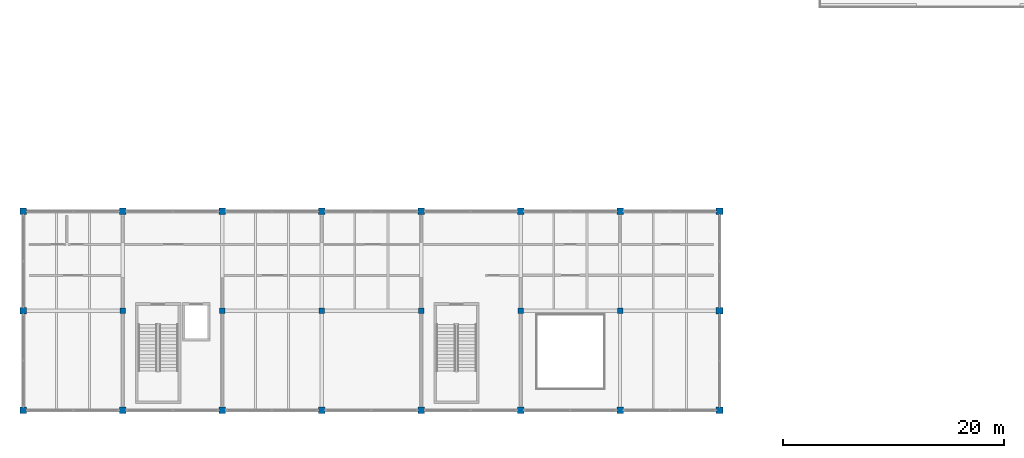
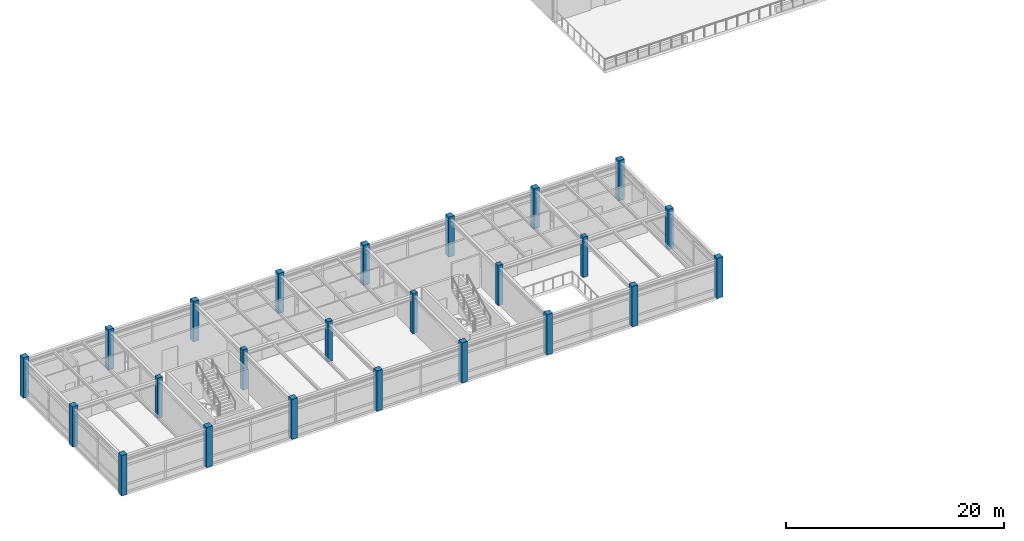
# One storey, part 1 of 33: 24 columns.
"""IFC4 building model written with IfcOpenShell, lengths in metres."""

from ifc_helpers import new_model, si_unit, direction, frame, origin, origin_2d, place, context, subcontext, project, spatial, rectangle, extrude, material, material_profile, profile_set, type_object, element, save


model = new_model("IFC4")

# Units and contexts
model_context = context("Model", 3, precision=1e-05, world=origin(), true_north=direction((0.0, 1.0)))
body_context = subcontext(model_context, "Body", "Model", "MODEL_VIEW")
ifc_project = project(units=[si_unit("LENGTHUNIT", "METRE"), si_unit("AREAUNIT", "SQUARE_METRE"), si_unit("VOLUMEUNIT", "CUBIC_METRE"), si_unit("PLANEANGLEUNIT", "RADIAN"), si_unit("MASSUNIT", "GRAM", prefix="KILO")], contexts=[model_context])

# Site, building, storey
site_placement = place(None, origin())
site = spatial("IfcSite", under=ifc_project, at=site_placement, CompositionType="ELEMENT")
building_placement = place(site_placement, origin())
building = spatial("IfcBuilding", under=site, at=building_placement, Name="Bozkorgan Art Gallery", CompositionType="ELEMENT")
storey_placement = place(building_placement, frame((0.0, 0.0, 19.5)))
storey = spatial("IfcBuildingStorey", under=building, at=storey_placement, Name="L04", CompositionType="ELEMENT", Elevation=19.5)

# Columns
ifc_material = material(Name="Concrete C40/50", Category="concrete")
ifc_material_profile_1 = material_profile(ifc_material, rectangle(XDim=0.60009765625, YDim=0.60009765625, at=origin_2d()), Name="RC 600x600")
ifc_profile_set_1 = profile_set([ifc_material_profile_1], Name="Concrete C40/50")
column_type_1 = type_object("IfcColumnType", Name="COLUMN-C-24", PredefinedType="COLUMN", material=ifc_profile_set_1)
for number, where, z_axis, x_axis, name in (
    (1, (2.0, 2.0, 0.0), (0.0, 0.0, 1.0), (1.0, 0.0, 0.0), "V1 L04 column (2.0, 2.0)"),
    (2, (2.0, 11.0, 0.0), (0.0, 0.0, 1.0), (1.0, 0.0, 0.0), "V1 L04 column (2.0, 11.0)"),
    (3, (2.0, 20.0, 0.0), (0.0, 0.0, 1.0), (1.0, 0.0, 0.0), "V1 L04 column (2.0, 20.0)"),
    (4, (11.0, 2.0, 0.0), (0.0, 0.0, 1.0), (1.0, 0.0, 0.0), "V1 L04 column (11.0, 2.0)"),
    (5, (11.0, 20.0, 0.0), (0.0, 0.0, 1.0), (1.0, 0.0, 0.0), "V1 L04 column (11.0, 20.0)"),
    (6, (20.0, 2.0, 0.0), (0.0, 0.0, 1.0), (1.0, 0.0, 0.0), "V1 L04 column (20.0, 2.0)"),
    (7, (20.0, 20.0, 0.0), (0.0, 0.0, 1.0), (1.0, 0.0, 0.0), "V1 L04 column (20.0, 20.0)"),
    (8, (29.0, 2.0, 0.0), (0.0, 0.0, 1.0), (1.0, 0.0, 0.0), "V1 L04 column (29.0, 2.0)"),
    (9, (29.0, 20.0, 0.0), (0.0, 0.0, 1.0), (1.0, 0.0, 0.0), "V1 L04 column (29.0, 20.0)"),
    (10, (38.0, 2.0, 0.0), (0.0, 0.0, 1.0), (1.0, 0.0, 0.0), "V1 L04 column (38.0, 2.0)"),
    (11, (38.0, 20.0, 0.0), (0.0, 0.0, 1.0), (1.0, 0.0, 0.0), "V1 L04 column (38.0, 20.0)"),
    (12, (47.0, 2.0, 0.0), (0.0, 0.0, 1.0), (1.0, 0.0, 0.0), "V1 L04 column (47.0, 2.0)"),
    (13, (47.0, 20.0, 0.0), (0.0, 0.0, 1.0), (1.0, 0.0, 0.0), "V1 L04 column (47.0, 20.0)"),
    (14, (56.0, 2.0, 0.0), (0.0, 0.0, 1.0), (1.0, 0.0, 0.0), "V1 L04 column (56.0, 2.0)"),
    (15, (56.0, 20.0, 0.0), (0.0, 0.0, 1.0), (1.0, 0.0, 0.0), "V1 L04 column (56.0, 20.0)"),
    (16, (65.0, 2.0, 0.0), (0.0, 0.0, 1.0), (1.0, 0.0, 0.0), "V1 L04 column (65.0, 2.0)"),
    (17, (65.0, 11.0, 0.0), (0.0, 0.0, 1.0), (1.0, 0.0, 0.0), "V1 L04 column (65.0, 11.0)"),
    (18, (65.0, 20.0, 0.0), (0.0, 0.0, 1.0), (1.0, 0.0, 0.0), "V1 L04 column (65.0, 20.0)"),
):
    element("IfcColumn", number, at=place(storey_placement, frame(where, z_axis=z_axis, x_axis=x_axis)), inside=storey, type_object=column_type_1, Name=name, PredefinedType="COLUMN", context=body_context, shape_type="SweptSolid", body=[
        extrude(rectangle(XDim=0.60009765625, YDim=0.60009765625, at=origin_2d()), origin(), (0.0, 0.0, 1.0), 4.5),
    ])
ifc_material_profile_2 = material_profile(ifc_material, rectangle(XDim=0.5, YDim=0.5, at=origin_2d()), Name="RC 500x500")
ifc_profile_set_2 = profile_set([ifc_material_profile_2], Name="Concrete C40/50")
column_type_2 = type_object("IfcColumnType", Name="COLUMN-C-33", PredefinedType="COLUMN", material=ifc_profile_set_2)
for number, where, z_axis, x_axis, name in (
    (19, (11.0, 11.0, 0.0), (0.0, 0.0, 1.0), (1.0, 0.0, 0.0), "V1 L04 column (11.0, 11.0)"),
    (20, (20.0, 11.0, 0.0), (0.0, 0.0, 1.0), (1.0, 0.0, 0.0), "V1 L04 column (20.0, 11.0)"),
    (21, (29.0, 11.0, 0.0), (0.0, 0.0, 1.0), (1.0, 0.0, 0.0), "V1 L04 column (29.0, 11.0)"),
    (22, (38.0, 11.0, 0.0), (0.0, 0.0, 1.0), (1.0, 0.0, 0.0), "V1 L04 column (38.0, 11.0)"),
    (23, (47.0, 11.0, 0.0), (0.0, 0.0, 1.0), (1.0, 0.0, 0.0), "V1 L04 column (47.0, 11.0)"),
    (24, (56.0, 11.0, 0.0), (0.0, 0.0, 1.0), (1.0, 0.0, 0.0), "V1 L04 column (56.0, 11.0)"),
):
    element("IfcColumn", number, at=place(storey_placement, frame(where, z_axis=z_axis, x_axis=x_axis)), inside=storey, type_object=column_type_2, Name=name, PredefinedType="COLUMN", context=body_context, shape_type="SweptSolid", body=[
        extrude(rectangle(XDim=0.5, YDim=0.5, at=origin_2d()), origin(), (0.0, 0.0, 1.0), 4.5),
    ])

save(model, "model.ifc")
